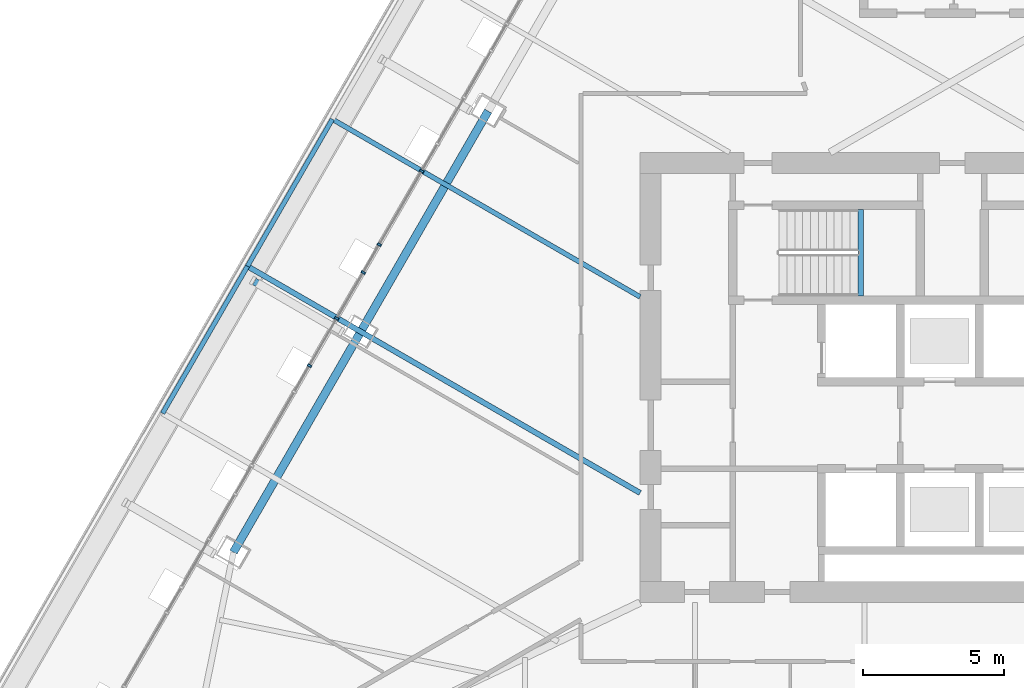
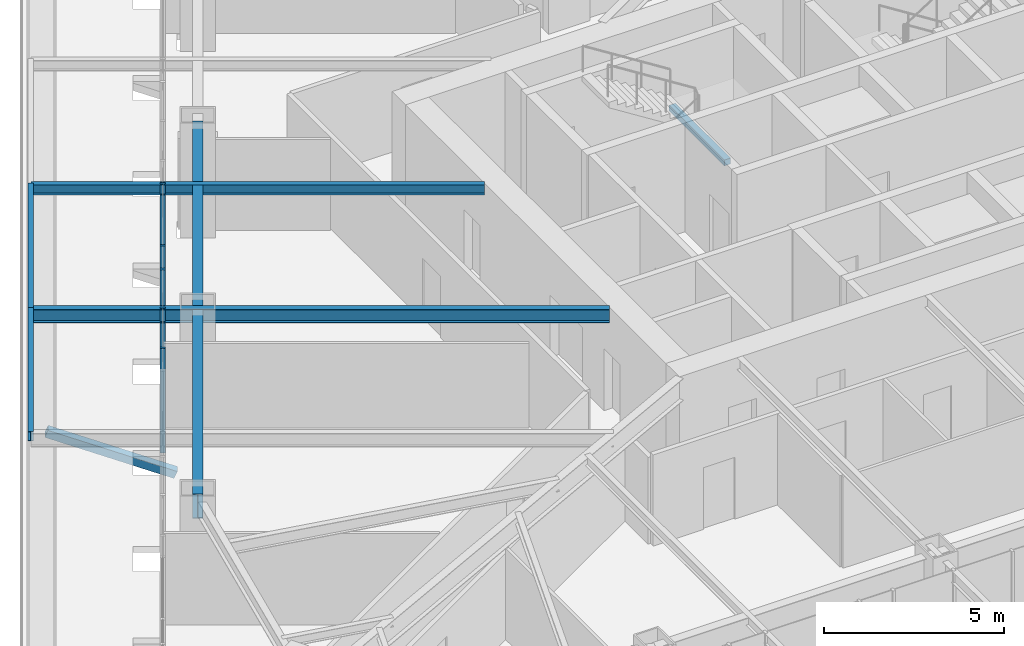
# One storey, part 3 of 35: 6 beams, 6 members, 1 element without a shape of its own.
"""IFC4 building model written with IfcOpenShell, lengths in metres."""

from ifc_helpers import new_model, si_unit, direction, frame, origin, origin_2d, place, context, subcontext, project, spatial, rectangle, hollow_rectangle, i_section, extrude, material, layer, layer_set, material_profile, profile_set, type_object, element, aggregate, save


model = new_model("IFC4")

# Units and contexts
model_context = context("Model", 3, precision=1e-05, world=origin(), true_north=direction((0.0, 1.0)))
body_context = subcontext(model_context, "Body", "Model", "MODEL_VIEW")
ifc_project = project(units=[si_unit("LENGTHUNIT", "METRE"), si_unit("AREAUNIT", "SQUARE_METRE"), si_unit("VOLUMEUNIT", "CUBIC_METRE"), si_unit("PLANEANGLEUNIT", "RADIAN"), si_unit("MASSUNIT", "GRAM", prefix="KILO")], contexts=[model_context])

# Site, building, storey
site_placement = place(None, origin())
site = spatial("IfcSite", under=ifc_project, at=site_placement, CompositionType="ELEMENT")
building_placement = place(site_placement, origin())
building = spatial("IfcBuilding", under=site, at=building_placement, Name="Firuza Gate Tower and Library", CompositionType="ELEMENT")
storey_placement = place(building_placement, frame((0.0, 0.0, 159.699951171875)))
storey = spatial("IfcBuildingStorey", under=building, at=storey_placement, Name="L36", CompositionType="ELEMENT", Elevation=159.699951171875)

# Curtain wall, members
ifc_material_1 = material(Name="Aluminium 6063-T6", Category="aluminium")
ifc_layer = layer(ifc_material_1, 0.14990234375)
ifc_layer_set = layer_set([ifc_layer], Name="Unitised curtain wall, hotel")
curtain_wall_type = type_object("IfcCurtainWallType", Name="Unitised curtain wall, hotel", PredefinedType="NOTDEFINED", material=ifc_layer_set)
curtain_wall_placement = place(storey_placement, origin())
curtain_wall = element("IfcCurtainWall", 1, at=curtain_wall_placement, inside=storey, type_object=curtain_wall_type, Name="CW2 L36 W face", PredefinedType="NOTDEFINED")
ifc_material_2 = material(Name="Aluminium 6063-T6", Category="aluminium")
ifc_material_profile_1 = material_profile(ifc_material_2, rectangle(XDim=0.14990234375, YDim=0.080078125, at=origin_2d()))
ifc_profile_set_1 = profile_set([ifc_material_profile_1], Name="Aluminium 6063-T6")
member_type_1 = type_object("IfcMemberType", Name="Curtain wall mullion 80x150", PredefinedType="MULLION", material=ifc_profile_set_1)
member_1_placement = place(storey_placement, frame((56.24267578125, 82.339111328125, 0.150146484375), z_axis=(0.0, 0.0, 1.0), x_axis=(0.866025403784, -0.5, 0.0)))
member_1 = element("IfcMember", 2, at=member_1_placement, type_object=member_type_1, Name="Mullion", PredefinedType="MULLION", context=body_context, shape_type="SweptSolid", body=[
    extrude(rectangle(XDim=0.14990234375, YDim=0.080078125, at=origin_2d()), origin(), (0.0, 0.0, 1.0), 3.5498046875),
])
member_2_placement = place(storey_placement, frame((54.731201171875, 79.72119140625, 0.150146484375), z_axis=(0.0, 0.0, 1.0), x_axis=(0.866025403784, -0.5, 0.0)))
member_2 = element("IfcMember", 3, at=member_2_placement, type_object=member_type_1, Name="Mullion", PredefinedType="MULLION", context=body_context, shape_type="SweptSolid", body=[
    extrude(rectangle(XDim=0.14990234375, YDim=0.080078125, at=origin_2d()), origin(), (0.0, 0.0, 1.0), 3.5498046875),
])
member_3_placement = place(storey_placement, frame((53.219970703125, 77.103515625, 0.150146484375), z_axis=(0.0, 0.0, 1.0), x_axis=(0.866025403784, -0.5, 0.0)))
member_3 = element("IfcMember", 4, at=member_3_placement, type_object=member_type_1, Name="Mullion", PredefinedType="MULLION", context=body_context, shape_type="SweptSolid", body=[
    extrude(rectangle(XDim=0.14990234375, YDim=0.080078125, at=origin_2d()), origin(), (0.0, 0.0, 1.0), 3.5498046875),
])
member_4_placement = place(storey_placement, frame((54.16015625, 78.732177734375, 0.150146484375), z_axis=(0.0, 0.0, 1.0), x_axis=(0.866025403784, -0.5, 0.0)))
member_4 = element("IfcMember", 5, at=member_4_placement, type_object=member_type_1, Name="Mullion", PredefinedType="MULLION", context=body_context, shape_type="SweptSolid", body=[
    extrude(rectangle(XDim=0.14990234375, YDim=0.080078125, at=origin_2d()), origin(), (0.0, 0.0, 1.0), 3.5498046875),
])
member_5_placement = place(storey_placement, frame((52.248046875, 75.419921875, 0.150146484375), z_axis=(0.0, 0.0, 1.0), x_axis=(0.866025403784, -0.5, 0.0)))
member_5 = element("IfcMember", 6, at=member_5_placement, type_object=member_type_1, Name="Mullion", PredefinedType="MULLION", context=body_context, shape_type="SweptSolid", body=[
    extrude(rectangle(XDim=0.14990234375, YDim=0.080078125, at=origin_2d()), origin(), (0.0, 0.0, 1.0), 3.5498046875),
])
aggregate(curtain_wall, [member_1, member_2, member_3, member_4, member_5])

# Member
ifc_material_3 = material(Name="Steel S355", Category="steel")
ifc_material_profile_2 = material_profile(ifc_material_3, hollow_rectangle(XDim=0.25390625, YDim=0.25390625, WallThickness=0.01171875, at=origin_2d()))
ifc_profile_set_2 = profile_set([ifc_material_profile_2], Name="Steel S355")
member_type_2 = type_object("IfcMemberType", Name="HSS254x254x13 Tray strut", PredefinedType="BRACE", material=ifc_profile_set_2)
member_6_placement = place(storey_placement, frame((53.3662109375, 76.63623046875, -1.669921875), z_axis=(-0.807186748293, 0.465944773973, 0.362415536349), x_axis=(-0.499931829785, -0.866064758299, 0.0)))
element("IfcMember", 7, at=member_6_placement, inside=storey, type_object=member_type_2, Name="Tray strut L36 col:L35:W4", PredefinedType="BRACE", context=body_context, shape_type="SweptSolid", body=[
    extrude(hollow_rectangle(XDim=0.25390625, YDim=0.25390625, WallThickness=0.01171875, at=origin_2d()), origin(), (0.0, 0.0, 1.0), 3.86279296875),
])

# Beams
ifc_material_4 = material(Name="Concrete C35/45", Category="concrete")
ifc_material_profile_3 = material_profile(ifc_material_4, rectangle(XDim=0.199951171875, YDim=0.199951171875, at=origin_2d()))
ifc_profile_set_3 = profile_set([ifc_material_profile_3], Name="Concrete C35/45")
beam_type_1 = type_object("IfcBeamType", Name="Stair landing bearer 200x200", PredefinedType="BEAM", material=ifc_profile_set_3)
beam_1_placement = place(storey_placement, frame((71.840087890625, 77.89990234375, 1.650146484375), z_axis=(0.0, 1.0, 0.0), x_axis=(-1.0, 0.0, 0.0)))
element("IfcBeam", 8, at=beam_1_placement, inside=storey, type_object=beam_type_1, Name="Landing bearer L36 stair 1", PredefinedType="BEAM", context=body_context, shape_type="SweptSolid", body=[
    extrude(rectangle(XDim=0.199951171875, YDim=0.199951171875, at=origin_2d()), origin(), (0.0, 0.0, 1.0), 3.080078125),
])
ifc_material_5 = material(Name="Steel S355", Category="steel")
ifc_material_profile_4 = material_profile(ifc_material_5, i_section(OverallWidth=0.1650390625, OverallDepth=0.31005859375, WebThickness=0.005859375, FlangeThickness=0.009765625, at=origin_2d()))
ifc_profile_set_4 = profile_set([ifc_material_profile_4], Name="Steel S355")
beam_type_2 = type_object("IfcBeamType", Name="W310x39 Floor beam", PredefinedType="JOIST", material=ifc_profile_set_4)
for number, where, z_axis, x_axis, name in (
    (9, (53.0625, 84.1806640625, 3.545166015625), (-0.500010720131, -0.866019214425, 0.0), (0.866019214425, -0.500010720131, 0.0), "Tray edge beam L36 s83-s84"),
    (10, (50.04443359375, 78.953369140625, 3.545166015625), (-0.500010720131, -0.866019214425, 0.0), (0.866019214425, -0.500010720131, 0.0), "Tray edge beam L36 s84-s85"),
):
    element("IfcBeam", number, at=place(storey_placement, frame(where, z_axis=z_axis, x_axis=x_axis)), inside=storey, type_object=beam_type_2, Name=name, PredefinedType="JOIST", context=body_context, shape_type="SweptSolid", body=[
        extrude(i_section(OverallWidth=0.1650390625, OverallDepth=0.31005859375, WebThickness=0.005859375, FlangeThickness=0.009765625, at=origin_2d()), origin(), (0.0, 0.0, 1.0), 6.035888671875),
    ])
ifc_material_6 = material(Name="Steel S355", Category="steel")
ifc_material_profile_5 = material_profile(ifc_material_6, i_section(OverallWidth=0.1708984375, OverallDepth=0.35498046875, WebThickness=0.007080078125, FlangeThickness=0.01171875, at=origin_2d()))
ifc_profile_set_5 = profile_set([ifc_material_profile_5], Name="Steel S355")
beam_type_3 = type_object("IfcBeamType", Name="W360x51 Floor beam", PredefinedType="JOIST", material=ifc_profile_set_5)
beam_2_placement = place(storey_placement, frame((53.0625, 84.1806640625, 3.5224609375), z_axis=(0.866027848477, -0.499995765644, 0.0), x_axis=(0.499995765644, 0.866027848477, 0.0)))
element("IfcBeam", 11, at=beam_2_placement, inside=storey, type_object=beam_type_3, Name="Floor beam L36 s83", PredefinedType="JOIST", context=body_context, shape_type="SweptSolid", body=[
    extrude(i_section(OverallWidth=0.1708984375, OverallDepth=0.35498046875, WebThickness=0.007080078125, FlangeThickness=0.01171875, at=origin_2d()), origin(), (0.0, 0.0, 1.0), 12.62939453125),
])
ifc_material_7 = material(Name="Steel S355", Category="steel")
ifc_material_profile_6 = material_profile(ifc_material_7, i_section(OverallWidth=0.18994140625, OverallDepth=0.45703125, WebThickness=0.009033203125, FlangeThickness=0.014404296875, at=origin_2d()))
ifc_profile_set_6 = profile_set([ifc_material_profile_6], Name="Steel S355")
beam_type_4 = type_object("IfcBeamType", Name="W460x74 Floor beam", PredefinedType="JOIST", material=ifc_profile_set_6)
beam_3_placement = place(storey_placement, frame((50.04443359375, 78.953369140625, 3.471435546875), z_axis=(0.866028658262, -0.499994363038, 0.0), x_axis=(0.499994363038, 0.866028658262, 0.0)))
element("IfcBeam", 12, at=beam_3_placement, inside=storey, type_object=beam_type_4, Name="Floor beam L36 s84", PredefinedType="JOIST", context=body_context, shape_type="SweptSolid", body=[
    extrude(i_section(OverallWidth=0.18994140625, OverallDepth=0.45703125, WebThickness=0.009033203125, FlangeThickness=0.014404296875, at=origin_2d()), origin(), (0.0, 0.0, 1.0), 16.114501953125),
])
ifc_material_8 = material(Name="Steel S355", Category="steel")
ifc_material_profile_7 = material_profile(ifc_material_8, i_section(OverallWidth=0.2919921875, OverallDepth=0.8349609375, WebThickness=0.013916015625, FlangeThickness=0.018798828125, at=origin_2d()))
ifc_profile_set_7 = profile_set([ifc_material_profile_7], Name="Steel S355")
beam_type_5 = type_object("IfcBeamType", Name="W840x176 Edge beam", PredefinedType="SPANDREL", material=ifc_profile_set_7)
beam_4_placement = place(storey_placement, frame((58.598388671875, 84.469482421875, 3.282470703125), z_axis=(-0.500000608324, -0.866025052568, 0.0), x_axis=(0.866025052568, -0.500000608324, 0.0)))
element("IfcBeam", 13, at=beam_4_placement, inside=storey, type_object=beam_type_5, Name="Edge beam L36 e82", PredefinedType="SPANDREL", context=body_context, shape_type="SweptSolid", body=[
    extrude(i_section(OverallWidth=0.2919921875, OverallDepth=0.8349609375, WebThickness=0.013916015625, FlangeThickness=0.018798828125, at=origin_2d()), origin(), (0.0, 0.0, 1.0), 18.10791015625),
])

save(model, "model.ifc")
